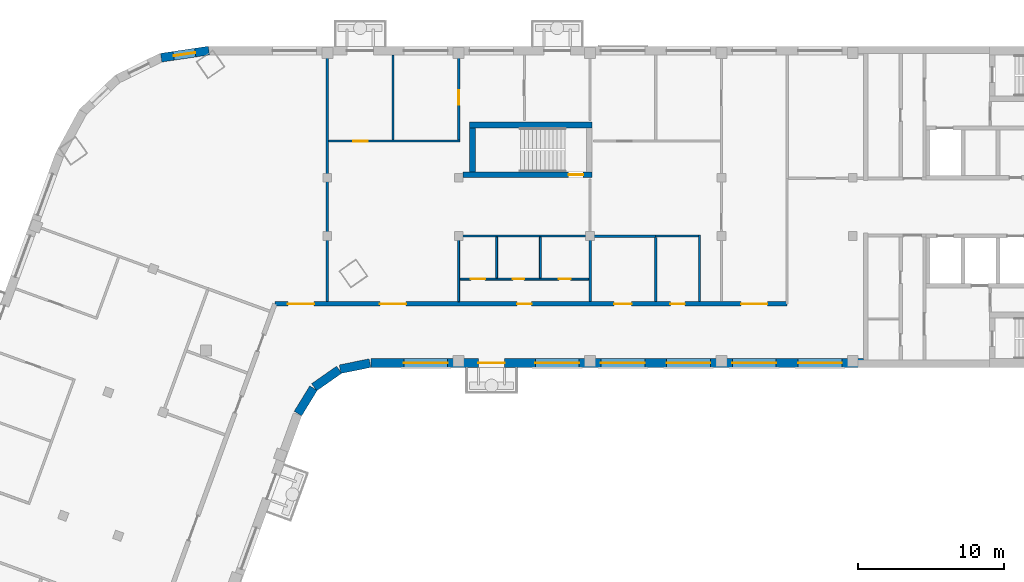
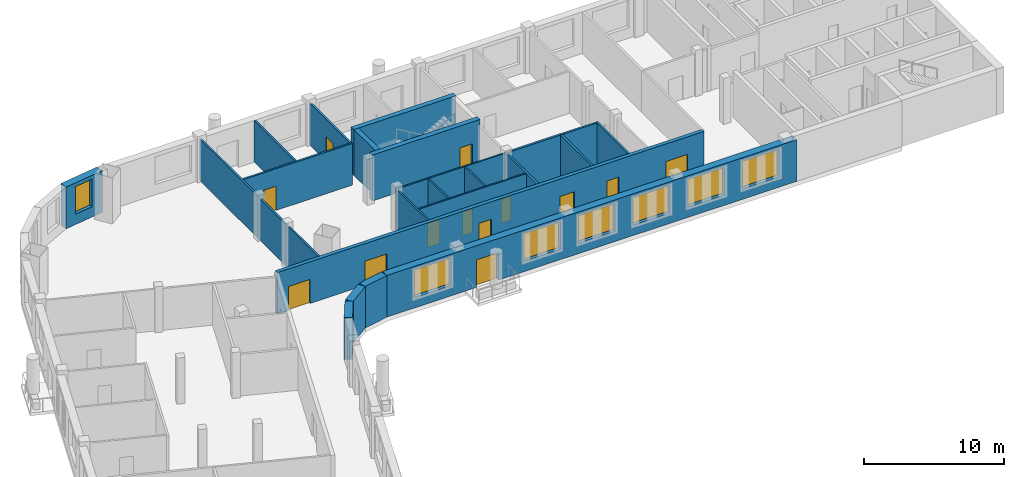
# One storey, part 4 of 10: 23 walls, 13 doors, 7 windows, 20 openings.
"""IFC4 building model written with IfcOpenShell, lengths in metres."""

from ifc_helpers import new_model, si_unit, direction, frame, frame_2d, origin, place, context, subcontext, project, spatial, rectangle, extrude, material, layer, layer_set, type_object, element, fill, save


model = new_model("IFC4")

# Units and contexts
model_context = context("Model", 3, precision=1e-05, world=origin(), true_north=direction((0.0, 1.0)))
body_context = subcontext(model_context, "Body", "Model", "MODEL_VIEW")
ifc_project = project(units=[si_unit("LENGTHUNIT", "METRE"), si_unit("AREAUNIT", "SQUARE_METRE"), si_unit("VOLUMEUNIT", "CUBIC_METRE"), si_unit("PLANEANGLEUNIT", "RADIAN"), si_unit("MASSUNIT", "GRAM", prefix="KILO")], contexts=[model_context])

# Site, building, storey
site_placement = place(None, origin())
site = spatial("IfcSite", under=ifc_project, at=site_placement, CompositionType="ELEMENT")
building_placement = place(site_placement, origin())
building = spatial("IfcBuilding", under=site, at=building_placement, Name="Skarvind Civic Tower", CompositionType="ELEMENT")
storey_placement = place(building_placement, frame((0.0, 0.0, 192.0)))
storey = spatial("IfcBuildingStorey", under=building, at=storey_placement, Name="L45", CompositionType="ELEMENT", Elevation=192.0)

# Walls
ifc_material_1 = material(Name="Acoustic gypsum board on steel studs", Category="steel")
ifc_layer_1 = layer(ifc_material_1, 0.175048828125)
ifc_layer_set_1 = layer_set([ifc_layer_1], Name="ACOUSTIC MEETING-ROOM PARTITION 175")
wall_type_1 = type_object("IfcWallType", Name="ACOUSTIC MEETING-ROOM PARTITION 175", PredefinedType="PARTITIONING", material=ifc_layer_set_1)
for number, where, z_axis, x_axis, name in (
    (1, (72.25, 121.5, 0.0), (0.0, 0.0, 1.0), (0.0, 1.0, 0.0), "Partition 45.027"),
    (2, (72.25, 126.0, 0.0), (0.0, 0.0, 1.0), (1.0, 0.0, 0.0), "Partition 45.029"),
):
    element("IfcWall", number, at=place(storey_placement, frame(where, z_axis=z_axis, x_axis=x_axis)), inside=storey, type_object=wall_type_1, Name=name, PredefinedType="PARTITIONING", context=body_context, shape_type="SweptSolid", body=[
        extrude(rectangle(XDim=4.5, YDim=0.175048828125, at=frame_2d((2.25, 0.0))), origin(), (0.0, 0.0, 1.0), 3.625),
    ])
wall_1_placement = place(storey_placement, frame((76.75, 125.912109375, 0.0), z_axis=(0.0, 0.0, 1.0), x_axis=(0.0, -1.0, 0.0)))
element("IfcWall", 3, at=wall_1_placement, inside=storey, type_object=wall_type_1, Name="Partition 45.032", PredefinedType="PARTITIONING", context=body_context, shape_type="SweptSolid", body=[
    extrude(rectangle(XDim=4.412109375, YDim=0.175048828125, at=frame_2d((2.2060546875, 0.0))), origin(), (0.0, 0.0, 1.0), 3.625),
])

# Wall, openings, doors
ifc_material_2 = material(Name="Fire-rated gypsum board on steel studs", Category="steel")
ifc_layer_2 = layer(ifc_material_2, 0.300048828125)
ifc_layer_set_2 = layer_set([ifc_layer_2], Name="CORRIDOR WALL 300")
wall_type_2 = type_object("IfcWallType", Name="CORRIDOR WALL 300", PredefinedType="PARTITIONING", material=ifc_layer_set_2)
wall_2_placement = place(storey_placement, frame((50.656982421875, 121.35009765625, 0.0), z_axis=(0.0, 0.0, 1.0), x_axis=(1.0, 0.0, 0.0)))
wall_2 = element("IfcWall", 4, at=wall_2_placement, inside=storey, type_object=wall_type_2, Name="Partition 45.016", PredefinedType="PARTITIONING", context=body_context, shape_type="SweptSolid", body=[
    extrude(rectangle(XDim=35.095947265625, YDim=0.300048828125, at=frame_2d((17.5478515625, 0.0))), origin(), (0.0, 0.0, 1.0), 3.625),
])
opening_1_placement = place(wall_2_placement, frame((27.093017578125, 0.0, 0.0)))
opening_1 = element("IfcOpeningElement", 5, at=opening_1_placement, cuts=wall_2, Name="Opening L45-D002", PredefinedType="OPENING", context=body_context, shape_type="SweptSolid", body=[
    extrude(rectangle(XDim=1.0, YDim=2.10009765625, at=frame_2d((0.5, 1.050048828125))), frame((0.0, 0.159912109375, 0.0), z_axis=(0.0, -1.0, 0.0), x_axis=(1.0, 0.0, 0.0)), (0.0, 0.0, 1.0), 0.320068359375),
])
opening_2_placement = place(wall_2_placement, frame((23.242919921875, 0.0, 0.0)))
opening_2 = element("IfcOpeningElement", 6, at=opening_2_placement, cuts=wall_2, Name="Opening L45-D003", PredefinedType="OPENING", context=body_context, shape_type="SweptSolid", body=[
    extrude(rectangle(XDim=1.199951171875, YDim=2.10009765625, at=frame_2d((0.60009765625, 1.050048828125))), frame((0.0, 0.159912109375, 0.0), z_axis=(0.0, -1.0, 0.0), x_axis=(1.0, 0.0, 0.0)), (0.0, 0.0, 1.0), 0.320068359375),
])
opening_3_placement = place(wall_2_placement, frame((31.943115234375, 0.0, 0.0)))
opening_3 = element("IfcOpeningElement", 7, at=opening_3_placement, cuts=wall_2, Name="Opening L45-D006", PredefinedType="OPENING", context=body_context, shape_type="SweptSolid", body=[
    extrude(rectangle(XDim=1.800048828125, YDim=2.10009765625, at=frame_2d((0.89990234375, 1.050048828125))), frame((0.0, 0.159912109375, 0.0), z_axis=(0.0, -1.0, 0.0), x_axis=(1.0, 0.0, 0.0)), (0.0, 0.0, 1.0), 0.320068359375),
])
opening_4_placement = place(wall_2_placement, frame((16.593017578125, 0.0, 0.0)))
opening_4 = element("IfcOpeningElement", 8, at=opening_4_placement, cuts=wall_2, Name="Opening L45-D007", PredefinedType="OPENING", context=body_context, shape_type="SweptSolid", body=[
    extrude(rectangle(XDim=1.0, YDim=2.10009765625, at=frame_2d((0.5, 1.050048828125))), frame((0.0, 0.159912109375, 0.0), z_axis=(0.0, -1.0, 0.0), x_axis=(1.0, 0.0, 0.0)), (0.0, 0.0, 1.0), 0.320068359375),
])
opening_5_placement = place(wall_2_placement, frame((7.193115234375, 0.0, 0.0)))
opening_5 = element("IfcOpeningElement", 9, at=opening_5_placement, cuts=wall_2, Name="Opening L45-D014", PredefinedType="OPENING", context=body_context, shape_type="SweptSolid", body=[
    extrude(rectangle(XDim=1.800048828125, YDim=2.10009765625, at=frame_2d((0.89990234375, 1.050048828125))), frame((0.0, 0.159912109375, 0.0), z_axis=(0.0, -1.0, 0.0), x_axis=(1.0, 0.0, 0.0)), (0.0, 0.0, 1.0), 0.320068359375),
])
opening_6_placement = place(wall_2_placement, frame((0.89599609375, 0.0, 0.0)))
opening_6 = element("IfcOpeningElement", 10, at=opening_6_placement, cuts=wall_2, Name="Opening L45-D022", PredefinedType="OPENING", context=body_context, shape_type="SweptSolid", body=[
    extrude(rectangle(XDim=1.800048828125, YDim=2.10009765625, at=frame_2d((0.89990234375, 1.050048828125))), frame((0.0, 0.159912109375, 0.0), z_axis=(0.0, -1.0, 0.0), x_axis=(1.0, 0.0, 0.0)), (0.0, 0.0, 1.0), 0.320068359375),
])
ifc_material_3 = material(Name="Fire-rated timber door leaf", Category="wood")
door_type_1 = type_object("IfcDoorType", Name="FD1 1000x2100", OperationType="NOTDEFINED", PredefinedType="DOOR", material=ifc_material_3)
door_1_placement = place(opening_1_placement, origin())
door_1 = element("IfcDoor", 11, at=door_1_placement, inside=storey, type_object=door_type_1, Name="Door L45-D002", OperationType="SINGLE_SWING_LEFT", OverallHeight=2.10009765625, OverallWidth=1.0, PredefinedType="DOOR", context=body_context, shape_type="SweptSolid", body=[
    extrude(rectangle(XDim=1.0, YDim=2.10009765625, at=frame_2d((0.5, 1.050048828125))), frame((0.0, 0.02490234375, 0.0), z_axis=(0.0, -1.0, 0.0), x_axis=(1.0, 0.0, 0.0)), (0.0, 0.0, 1.0), 0.050048828125),
])
fill(opening_1, door_1)
door_2_placement = place(opening_4_placement, origin())
door_2 = element("IfcDoor", 12, at=door_2_placement, inside=storey, type_object=door_type_1, Name="Door L45-D007", OperationType="SINGLE_SWING_LEFT", OverallHeight=2.10009765625, OverallWidth=1.0, PredefinedType="DOOR", context=body_context, shape_type="SweptSolid", body=[
    extrude(rectangle(XDim=1.0, YDim=2.10009765625, at=frame_2d((0.5, 1.050048828125))), frame((0.0, 0.02490234375, 0.0), z_axis=(0.0, -1.0, 0.0), x_axis=(1.0, 0.0, 0.0)), (0.0, 0.0, 1.0), 0.050048828125),
])
fill(opening_4, door_2)
door_type_2 = type_object("IfcDoorType", Name="FD4 1800x2100", OperationType="NOTDEFINED", PredefinedType="DOOR", material=ifc_material_3)
door_3_placement = place(opening_3_placement, origin())
door_3 = element("IfcDoor", 13, at=door_3_placement, inside=storey, type_object=door_type_2, Name="Door L45-D006", OperationType="DOUBLE_DOOR_SINGLE_SWING", OverallHeight=2.10009765625, OverallWidth=1.800048828125, PredefinedType="DOOR", context=body_context, shape_type="SweptSolid", body=[
    extrude(rectangle(XDim=1.800048828125, YDim=2.10009765625, at=frame_2d((0.89990234375, 1.050048828125))), frame((0.0, 0.02490234375, 0.0), z_axis=(0.0, -1.0, 0.0), x_axis=(1.0, 0.0, 0.0)), (0.0, 0.0, 1.0), 0.050048828125),
])
fill(opening_3, door_3)
door_4_placement = place(opening_5_placement, origin())
door_4 = element("IfcDoor", 14, at=door_4_placement, inside=storey, type_object=door_type_2, Name="Door L45-D014", OperationType="DOUBLE_DOOR_SINGLE_SWING", OverallHeight=2.10009765625, OverallWidth=1.800048828125, PredefinedType="DOOR", context=body_context, shape_type="SweptSolid", body=[
    extrude(rectangle(XDim=1.800048828125, YDim=2.10009765625, at=frame_2d((0.89990234375, 1.050048828125))), frame((0.0, 0.02490234375, 0.0), z_axis=(0.0, -1.0, 0.0), x_axis=(1.0, 0.0, 0.0)), (0.0, 0.0, 1.0), 0.050048828125),
])
fill(opening_5, door_4)
door_5_placement = place(opening_6_placement, origin())
door_5 = element("IfcDoor", 15, at=door_5_placement, inside=storey, type_object=door_type_2, Name="Door L45-D022", OperationType="DOUBLE_DOOR_SINGLE_SWING", OverallHeight=2.10009765625, OverallWidth=1.800048828125, PredefinedType="DOOR", context=body_context, shape_type="SweptSolid", body=[
    extrude(rectangle(XDim=1.800048828125, YDim=2.10009765625, at=frame_2d((0.89990234375, 1.050048828125))), frame((0.0, 0.02490234375, 0.0), z_axis=(0.0, -1.0, 0.0), x_axis=(1.0, 0.0, 0.0)), (0.0, 0.0, 1.0), 0.050048828125),
])
fill(opening_6, door_5)
door_type_3 = type_object("IfcDoorType", Name="FD6 1200x2100 DOUBLE", OperationType="NOTDEFINED", PredefinedType="DOOR", material=ifc_material_3)
door_6_placement = place(opening_2_placement, origin())
door_6 = element("IfcDoor", 16, at=door_6_placement, inside=storey, type_object=door_type_3, Name="Door L45-D003", OperationType="DOUBLE_DOOR_SINGLE_SWING", OverallHeight=2.10009765625, OverallWidth=1.199951171875, PredefinedType="DOOR", context=body_context, shape_type="SweptSolid", body=[
    extrude(rectangle(XDim=1.199951171875, YDim=2.10009765625, at=frame_2d((0.60009765625, 1.050048828125))), frame((0.0, 0.02490234375, 0.0), z_axis=(0.0, -1.0, 0.0), x_axis=(1.0, 0.0, 0.0)), (0.0, 0.0, 1.0), 0.050048828125),
])
fill(opening_2, door_6)

# Wall, opening, door
ifc_material_4 = material(Name="Concrete C60", Category="concrete")
ifc_layer_3 = layer(ifc_material_4, 0.39990234375)
ifc_layer_set_3 = layer_set([ifc_layer_3], Name="Core wall 400 C60")
wall_type_3 = type_object("IfcWallType", Name="Core wall 400 C60", PredefinedType="SHEAR", material=ifc_layer_set_3)
wall_3_placement = place(storey_placement, frame((63.550048828125, 130.199951171875, 0.0), z_axis=(0.0, 0.0, 1.0), x_axis=(1.0, 0.0, 0.0)))
wall_3 = element("IfcWall", 17, at=wall_3_placement, inside=storey, type_object=wall_type_3, Name="Core wall CM inner L45", PredefinedType="SHEAR", context=body_context, shape_type="SweptSolid", body=[
    extrude(rectangle(XDim=8.849853515625, YDim=0.39990234375, at=frame_2d((4.4248046875, 0.0))), origin(), (0.0, 0.0, 1.0), 4.0),
])
opening_7_placement = place(wall_3_placement, frame((7.22509765625, 0.0, 0.0)))
opening_7 = element("IfcOpeningElement", 18, at=opening_7_placement, cuts=wall_3, Name="Opening D-L45-CM-01", PredefinedType="OPENING", context=body_context, shape_type="SweptSolid", body=[
    extrude(rectangle(XDim=1.0, YDim=2.10009765625, at=frame_2d((0.5, 1.050048828125))), frame((0.0, 0.2099609375, 0.0), z_axis=(0.0, -1.0, 0.0), x_axis=(1.0, 0.0, 0.0)), (0.0, 0.0, 1.0), 0.419921875),
])
ifc_material_5 = material(Name="Fire-rated steel door", Category="steel")
door_type_4 = type_object("IfcDoorType", Name="Fire door 1000", OperationType="NOTDEFINED", PredefinedType="DOOR", material=ifc_material_5)
door_7_placement = place(opening_7_placement, origin())
door_7 = element("IfcDoor", 19, at=door_7_placement, inside=storey, type_object=door_type_4, Name="Fire door", OperationType="SINGLE_SWING_LEFT", OverallHeight=2.10009765625, OverallWidth=1.0, PredefinedType="DOOR", context=body_context, shape_type="SweptSolid", body=[
    extrude(rectangle(XDim=1.0, YDim=2.10009765625, at=frame_2d((0.5, 1.050048828125))), frame((0.0, 0.02490234375, 0.0), z_axis=(0.0, -1.0, 0.0), x_axis=(1.0, 0.0, 0.0)), (0.0, 0.0, 1.0), 0.050048828125),
])
fill(opening_7, door_7)

# Walls
wall_4_placement = place(storey_placement, frame((64.0, 133.60009765625, 0.0), z_axis=(0.0, 0.0, 1.0), x_axis=(1.0, 0.0, 0.0)))
element("IfcWall", 20, at=wall_4_placement, inside=storey, type_object=wall_type_3, Name="Core wall CM outer L45", PredefinedType="SHEAR", context=body_context, shape_type="SweptSolid", body=[
    extrude(rectangle(XDim=8.39990234375, YDim=0.39990234375, at=frame_2d((4.199951171875, 0.0))), origin(), (0.0, 0.0, 1.0), 4.0),
])
wall_5_placement = place(storey_placement, frame((64.199951171875, 130.39990234375, 0.0), z_axis=(0.0, 0.0, 1.0), x_axis=(0.0, 1.0, 0.0)))
element("IfcWall", 21, at=wall_5_placement, inside=storey, type_object=wall_type_3, Name="Core wall CM west L45", PredefinedType="SHEAR", context=body_context, shape_type="SweptSolid", body=[
    extrude(rectangle(XDim=3.0, YDim=0.39990234375, at=frame_2d((1.5, 0.0))), origin(), (0.0, 0.0, 1.0), 4.0),
])
ifc_material_6 = material(Name="Plasterboard partition on steel studs", Category="steel")
ifc_layer_4 = layer(ifc_material_6, 0.14990234375)
ifc_layer_set_4 = layer_set([ifc_layer_4], Name="PARTITION 150")
wall_type_4 = type_object("IfcWallType", Name="PARTITION 150", PredefinedType="PARTITIONING", material=ifc_layer_set_4)
wall_6_placement = place(storey_placement, frame((54.25, 121.5, 0.0), z_axis=(0.0, 0.0, 1.0), x_axis=(0.0, 1.0, 0.0)))
element("IfcWall", 22, at=wall_6_placement, inside=storey, type_object=wall_type_4, Name="Partition 45.017", PredefinedType="PARTITIONING", context=body_context, shape_type="SweptSolid", body=[
    extrude(rectangle(XDim=16.89990234375, YDim=0.14990234375, at=frame_2d((8.449951171875, 0.0))), origin(), (0.0, 0.0, 1.0), 3.625),
])

# Wall, opening, door
wall_7_placement = place(storey_placement, frame((63.324951171875, 132.5, 0.0), z_axis=(0.0, 0.0, 1.0), x_axis=(-1.0, 0.0, 0.0)))
wall_7 = element("IfcWall", 23, at=wall_7_placement, inside=storey, type_object=wall_type_4, Name="Partition 45.018", PredefinedType="PARTITIONING", context=body_context, shape_type="SweptSolid", body=[
    extrude(rectangle(XDim=9.0, YDim=0.14990234375, at=frame_2d((4.5, 0.0))), origin(), (0.0, 0.0, 1.0), 3.625),
])
opening_8_placement = place(wall_7_placement, frame((6.297607421875, 0.0, 0.0)))
opening_8 = element("IfcOpeningElement", 24, at=opening_8_placement, cuts=wall_7, Name="Opening L45-D013", PredefinedType="OPENING", context=body_context, shape_type="SweptSolid", body=[
    extrude(rectangle(XDim=1.0, YDim=2.10009765625, at=frame_2d((0.5, 1.050048828125))), frame((0.0, 0.0849609375, 0.0), z_axis=(0.0, -1.0, 0.0), x_axis=(1.0, 0.0, 0.0)), (0.0, 0.0, 1.0), 0.169921875),
])
ifc_material_7 = material(Name="Timber door leaf", Category="wood")
door_type_5 = type_object("IfcDoorType", Name="D1 1000x2100", OperationType="NOTDEFINED", PredefinedType="DOOR", material=ifc_material_7)
door_8_placement = place(opening_8_placement, origin())
door_8 = element("IfcDoor", 25, at=door_8_placement, inside=storey, type_object=door_type_5, Name="Door L45-D013", OperationType="SINGLE_SWING_RIGHT", OverallHeight=2.10009765625, OverallWidth=1.0, PredefinedType="DOOR", context=body_context, shape_type="SweptSolid", body=[
    extrude(rectangle(XDim=1.0, YDim=2.10009765625, at=frame_2d((0.5, 1.050048828125))), frame((0.0, 0.02490234375, 0.0), z_axis=(0.0, -1.0, 0.0), x_axis=(1.0, 0.0, 0.0)), (0.0, 0.0, 1.0), 0.050048828125),
])
fill(opening_8, door_8)

# Wall
wall_8_placement = place(storey_placement, frame((58.75, 132.574951171875, 0.0), z_axis=(0.0, 0.0, 1.0), x_axis=(0.0, 1.0, 0.0)))
element("IfcWall", 26, at=wall_8_placement, inside=storey, type_object=wall_type_4, Name="Partition 45.019", PredefinedType="PARTITIONING", context=body_context, shape_type="SweptSolid", body=[
    extrude(rectangle(XDim=5.824951171875, YDim=0.14990234375, at=frame_2d((2.91259765625, 0.0))), origin(), (0.0, 0.0, 1.0), 3.625),
])

# Wall, opening, door
wall_9_placement = place(storey_placement, frame((63.25, 138.39990234375, 0.0), z_axis=(0.0, 0.0, 1.0), x_axis=(0.0, -1.0, 0.0)))
wall_9 = element("IfcWall", 27, at=wall_9_placement, inside=storey, type_object=wall_type_4, Name="Partition 45.023", PredefinedType="PARTITIONING", context=body_context, shape_type="SweptSolid", body=[
    extrude(rectangle(XDim=5.824951171875, YDim=0.14990234375, at=frame_2d((2.91259765625, 0.0))), origin(), (0.0, 0.0, 1.0), 3.625),
])
opening_9_placement = place(wall_9_placement, frame((2.422607421875, 0.0, 0.0)))
opening_9 = element("IfcOpeningElement", 28, at=opening_9_placement, cuts=wall_9, Name="Opening L45-D012", PredefinedType="OPENING", context=body_context, shape_type="SweptSolid", body=[
    extrude(rectangle(XDim=1.0, YDim=2.10009765625, at=frame_2d((0.5, 1.050048828125))), frame((0.0, 0.0849609375, 0.0), z_axis=(0.0, -1.0, 0.0), x_axis=(1.0, 0.0, 0.0)), (0.0, 0.0, 1.0), 0.169921875),
])
door_9_placement = place(opening_9_placement, origin())
door_9 = element("IfcDoor", 29, at=door_9_placement, inside=storey, type_object=door_type_5, Name="Door L45-D012", OperationType="SINGLE_SWING_LEFT", OverallHeight=2.10009765625, OverallWidth=1.0, PredefinedType="DOOR", context=body_context, shape_type="SweptSolid", body=[
    extrude(rectangle(XDim=1.0, YDim=2.10009765625, at=frame_2d((0.5, 1.050048828125))), frame((0.0, 0.02490234375, 0.0), z_axis=(0.0, -1.0, 0.0), x_axis=(1.0, 0.0, 0.0)), (0.0, 0.0, 1.0), 0.050048828125),
])
fill(opening_9, door_9)

# Walls
wall_10_placement = place(storey_placement, frame((79.75, 121.5, 0.0), z_axis=(0.0, 0.0, 1.0), x_axis=(0.0, 1.0, 0.0)))
element("IfcWall", 30, at=wall_10_placement, inside=storey, type_object=wall_type_4, Name="Partition 45.034", PredefinedType="PARTITIONING", context=body_context, shape_type="SweptSolid", body=[
    extrude(rectangle(XDim=4.574951171875, YDim=0.14990234375, at=frame_2d((2.28759765625, 0.0))), origin(), (0.0, 0.0, 1.0), 3.625),
])
wall_11_placement = place(storey_placement, frame((79.675048828125, 126.0, 0.0), z_axis=(0.0, 0.0, 1.0), x_axis=(-1.0, 0.0, 0.0)))
element("IfcWall", 31, at=wall_11_placement, inside=storey, type_object=wall_type_4, Name="Partition 45.035", PredefinedType="PARTITIONING", context=body_context, shape_type="SweptSolid", body=[
    extrude(rectangle(XDim=2.925048828125, YDim=0.14990234375, at=frame_2d((1.46240234375, 0.0))), origin(), (0.0, 0.0, 1.0), 3.625),
])
ifc_material_8 = material(Name="Moisture-resistant gypsum board on steel studs", Category="steel")
ifc_layer_5 = layer(ifc_material_8, 0.125)
ifc_layer_set_5 = layer_set([ifc_layer_5], Name="WC PARTITION 125")
wall_type_5 = type_object("IfcWallType", Name="WC PARTITION 125", PredefinedType="PARTITIONING", material=ifc_layer_set_5)
wall_12_placement = place(storey_placement, frame((63.25, 121.5, 0.0), z_axis=(0.0, 0.0, 1.0), x_axis=(0.0, 1.0, 0.0)))
element("IfcWall", 32, at=wall_12_placement, inside=storey, type_object=wall_type_5, Name="Partition 45.020", PredefinedType="PARTITIONING", context=body_context, shape_type="SweptSolid", body=[
    extrude(rectangle(XDim=4.43798828125, YDim=0.125, at=frame_2d((2.218994140625, 0.0))), origin(), (0.0, 0.0, 1.0), 3.625),
])

# Wall, openings, doors
wall_13_placement = place(storey_placement, frame((63.31201171875, 123.050048828125, 0.0), z_axis=(0.0, 0.0, 1.0), x_axis=(1.0, 0.0, 0.0)))
wall_13 = element("IfcWall", 33, at=wall_13_placement, inside=storey, type_object=wall_type_5, Name="Partition 45.021", PredefinedType="PARTITIONING", context=body_context, shape_type="SweptSolid", body=[
    extrude(rectangle(XDim=8.85009765625, YDim=0.125, at=frame_2d((4.425048828125, 0.0))), origin(), (0.0, 0.0, 1.0), 3.625),
])
opening_10_placement = place(wall_13_placement, frame((6.803955078125, 0.0, 0.0)))
opening_10 = element("IfcOpeningElement", 34, at=opening_10_placement, cuts=wall_13, Name="Opening L45-D008", PredefinedType="OPENING", context=body_context, shape_type="SweptSolid", body=[
    extrude(rectangle(XDim=0.800048828125, YDim=2.10009765625, at=frame_2d((0.39990234375, 1.050048828125))), frame((0.0, 0.072509765625, 0.0), z_axis=(0.0, -1.0, 0.0), x_axis=(1.0, 0.0, 0.0)), (0.0, 0.0, 1.0), 0.14501953125),
])
opening_11_placement = place(wall_13_placement, frame((3.637939453125, 0.0, 0.0)))
opening_11 = element("IfcOpeningElement", 35, at=opening_11_placement, cuts=wall_13, Name="Opening L45-D009", PredefinedType="OPENING", context=body_context, shape_type="SweptSolid", body=[
    extrude(rectangle(XDim=0.800048828125, YDim=2.10009765625, at=frame_2d((0.39990234375, 1.050048828125))), frame((0.0, 0.072509765625, 0.0), z_axis=(0.0, -1.0, 0.0), x_axis=(1.0, 0.0, 0.0)), (0.0, 0.0, 1.0), 0.14501953125),
])
opening_12_placement = place(wall_13_placement, frame((0.759033203125, 0.0, 0.0)))
opening_12 = element("IfcOpeningElement", 36, at=opening_12_placement, cuts=wall_13, Name="Opening L45-D010", PredefinedType="OPENING", context=body_context, shape_type="SweptSolid", body=[
    extrude(rectangle(XDim=1.0, YDim=2.10009765625, at=frame_2d((0.5, 1.050048828125))), frame((0.0, 0.072509765625, 0.0), z_axis=(0.0, -1.0, 0.0), x_axis=(1.0, 0.0, 0.0)), (0.0, 0.0, 1.0), 0.14501953125),
])
door_10_placement = place(opening_12_placement, origin())
door_10 = element("IfcDoor", 37, at=door_10_placement, inside=storey, type_object=door_type_5, Name="Door L45-D010", OperationType="SINGLE_SWING_LEFT", OverallHeight=2.10009765625, OverallWidth=1.0, PredefinedType="DOOR", context=body_context, shape_type="SweptSolid", body=[
    extrude(rectangle(XDim=1.0, YDim=2.10009765625, at=frame_2d((0.5, 1.050048828125))), frame((0.0, 0.02490234375, 0.0), z_axis=(0.0, -1.0, 0.0), x_axis=(1.0, 0.0, 0.0)), (0.0, 0.0, 1.0), 0.050048828125),
])
fill(opening_12, door_10)
door_type_6 = type_object("IfcDoorType", Name="DOOR 800X2100 TIMBER", OperationType="NOTDEFINED", PredefinedType="DOOR", material=ifc_material_7)
door_11_placement = place(opening_10_placement, origin())
door_11 = element("IfcDoor", 38, at=door_11_placement, inside=storey, type_object=door_type_6, Name="Door L45-D008", OperationType="SINGLE_SWING_RIGHT", OverallHeight=2.10009765625, OverallWidth=0.800048828125, PredefinedType="DOOR", context=body_context, shape_type="SweptSolid", body=[
    extrude(rectangle(XDim=0.800048828125, YDim=2.10009765625, at=frame_2d((0.39990234375, 1.050048828125))), frame((0.0, 0.02490234375, 0.0), z_axis=(0.0, -1.0, 0.0), x_axis=(1.0, 0.0, 0.0)), (0.0, 0.0, 1.0), 0.050048828125),
])
fill(opening_10, door_11)
door_12_placement = place(opening_11_placement, origin())
door_12 = element("IfcDoor", 39, at=door_12_placement, inside=storey, type_object=door_type_6, Name="Door L45-D009", OperationType="SINGLE_SWING_LEFT", OverallHeight=2.10009765625, OverallWidth=0.800048828125, PredefinedType="DOOR", context=body_context, shape_type="SweptSolid", body=[
    extrude(rectangle(XDim=0.800048828125, YDim=2.10009765625, at=frame_2d((0.39990234375, 1.050048828125))), frame((0.0, 0.02490234375, 0.0), z_axis=(0.0, -1.0, 0.0), x_axis=(1.0, 0.0, 0.0)), (0.0, 0.0, 1.0), 0.050048828125),
])
fill(opening_11, door_12)

# Walls
wall_14_placement = place(storey_placement, frame((63.18798828125, 126.0, 0.0), z_axis=(0.0, 0.0, 1.0), x_axis=(1.0, 0.0, 0.0)))
element("IfcWall", 40, at=wall_14_placement, inside=storey, type_object=wall_type_5, Name="Partition 45.022", PredefinedType="PARTITIONING", context=body_context, shape_type="SweptSolid", body=[
    extrude(rectangle(XDim=9.06201171875, YDim=0.125, at=frame_2d((4.531005859375, 0.0))), origin(), (0.0, 0.0, 1.0), 3.625),
])
for number, where, z_axis, x_axis, name in (
    (41, (65.85009765625, 125.93798828125, 0.0), (0.0, 0.0, 1.0), (0.0, -1.0, 0.0), "Partition 45.024"),
    (42, (68.85009765625, 125.93798828125, 0.0), (0.0, 0.0, 1.0), (0.0, -1.0, 0.0), "Partition 45.026"),
):
    element("IfcWall", number, at=place(storey_placement, frame(where, z_axis=z_axis, x_axis=x_axis)), inside=storey, type_object=wall_type_5, Name=name, PredefinedType="PARTITIONING", context=body_context, shape_type="SweptSolid", body=[
        extrude(rectangle(XDim=2.825927734375, YDim=0.125, at=frame_2d((1.4130859375, 0.0))), origin(), (0.0, 0.0, 1.0), 3.625),
    ])
ifc_material_9 = material(Name="Limestone masonry cladding on insulated backing", Category="masonry")
ifc_layer_6 = layer(ifc_material_9, 0.60009765625)
ifc_layer_set_6 = layer_set([ifc_layer_6], Name="WX1 STONE FACADE WALL 600")
wall_type_6 = type_object("IfcWallType", Name="WX1 STONE FACADE WALL 600", PredefinedType="SOLIDWALL", material=ifc_layer_set_6)
wall_15_placement = place(storey_placement, frame((53.30517578125, 115.578369140625, 0.0), z_axis=(0.0, 0.0, 1.0), x_axis=(-0.522402266438, -0.852699168535, 0.0)))
element("IfcWall", 43, at=wall_15_placement, inside=storey, type_object=wall_type_6, Name="STONE FACADE WALL", PredefinedType="SOLIDWALL", context=body_context, shape_type="SweptSolid", body=[
    extrude(rectangle(XDim=2.042236328125, YDim=0.60009765625, at=frame_2d((1.02099609375, 0.0))), origin(), (0.0, 0.0, 1.0), 3.625),
])
for number, where, z_axis, x_axis, name in (
    (44, (55.061767578125, 116.8388671875, 0.0), (0.0, 0.0, 1.0), (-0.819122269495, -0.573618956815, 0.0), "STONE FACADE WALL"),
    (45, (57.17529296875, 117.2939453125, 0.0), (0.0, 0.0, 1.0), (-0.97996099083, -0.19918949885, 0.0), "STONE FACADE WALL"),
):
    element("IfcWall", number, at=place(storey_placement, frame(where, z_axis=z_axis, x_axis=x_axis)), inside=storey, type_object=wall_type_6, Name=name, PredefinedType="SOLIDWALL", context=body_context, shape_type="SweptSolid", body=[
        extrude(rectangle(XDim=2.09228515625, YDim=0.60009765625, at=frame_2d((1.046142578125, 0.0))), origin(), (0.0, 0.0, 1.0), 3.625),
    ])

# Wall, openings, door, windows
wall_16_placement = place(storey_placement, frame((90.97998046875, 117.300048828125, 0.0), z_axis=(0.0, 0.0, 1.0), x_axis=(-1.0, 0.0, 0.0)))
wall_16 = element("IfcWall", 46, at=wall_16_placement, inside=storey, type_object=wall_type_6, Name="STONE FACADE WALL", PredefinedType="SOLIDWALL", context=body_context, shape_type="SweptSolid", body=[
    extrude(rectangle(XDim=33.744873046875, YDim=0.60009765625, at=frame_2d((16.87255859375, 0.0))), origin(), (0.0, 0.0, 1.0), 3.625),
])
opening_13_placement = place(wall_16_placement, frame((1.47998046875, 0.0, 0.89990234375)))
opening_13 = element("IfcOpeningElement", 47, at=opening_13_placement, cuts=wall_16, Name="Opening WN1", PredefinedType="OPENING", context=body_context, shape_type="SweptSolid", body=[
    extrude(rectangle(XDim=3.0, YDim=2.39990234375, at=frame_2d((1.5, 1.199951171875))), frame((0.0, 0.31005859375, 0.0), z_axis=(0.0, -1.0, 0.0), x_axis=(1.0, 0.0, 0.0)), (0.0, 0.0, 1.0), 0.6201171875),
])
opening_14_placement = place(wall_16_placement, frame((5.97998046875, 0.0, 0.89990234375)))
opening_14 = element("IfcOpeningElement", 48, at=opening_14_placement, cuts=wall_16, Name="Opening WN1", PredefinedType="OPENING", context=body_context, shape_type="SweptSolid", body=[
    extrude(rectangle(XDim=3.0, YDim=2.39990234375, at=frame_2d((1.5, 1.199951171875))), frame((0.0, 0.31005859375, 0.0), z_axis=(0.0, -1.0, 0.0), x_axis=(1.0, 0.0, 0.0)), (0.0, 0.0, 1.0), 0.6201171875),
])
opening_15_placement = place(wall_16_placement, frame((10.47998046875, 0.0, 0.89990234375)))
opening_15 = element("IfcOpeningElement", 49, at=opening_15_placement, cuts=wall_16, Name="Opening WN1", PredefinedType="OPENING", context=body_context, shape_type="SweptSolid", body=[
    extrude(rectangle(XDim=3.0, YDim=2.39990234375, at=frame_2d((1.5, 1.199951171875))), frame((0.0, 0.31005859375, 0.0), z_axis=(0.0, -1.0, 0.0), x_axis=(1.0, 0.0, 0.0)), (0.0, 0.0, 1.0), 0.6201171875),
])
opening_16_placement = place(wall_16_placement, frame((14.97998046875, 0.0, 0.89990234375)))
opening_16 = element("IfcOpeningElement", 50, at=opening_16_placement, cuts=wall_16, Name="Opening WN1", PredefinedType="OPENING", context=body_context, shape_type="SweptSolid", body=[
    extrude(rectangle(XDim=3.0, YDim=2.39990234375, at=frame_2d((1.5, 1.199951171875))), frame((0.0, 0.31005859375, 0.0), z_axis=(0.0, -1.0, 0.0), x_axis=(1.0, 0.0, 0.0)), (0.0, 0.0, 1.0), 0.6201171875),
])
opening_17_placement = place(wall_16_placement, frame((19.47998046875, 0.0, 0.89990234375)))
opening_17 = element("IfcOpeningElement", 51, at=opening_17_placement, cuts=wall_16, Name="Opening WN1", PredefinedType="OPENING", context=body_context, shape_type="SweptSolid", body=[
    extrude(rectangle(XDim=3.0, YDim=2.39990234375, at=frame_2d((1.5, 1.199951171875))), frame((0.0, 0.31005859375, 0.0), z_axis=(0.0, -1.0, 0.0), x_axis=(1.0, 0.0, 0.0)), (0.0, 0.0, 1.0), 0.6201171875),
])
opening_18_placement = place(wall_16_placement, frame((24.580078125, 0.0, 0.0)))
opening_18 = element("IfcOpeningElement", 52, at=opening_18_placement, cuts=wall_16, Name="Opening DX3", PredefinedType="OPENING", context=body_context, shape_type="SweptSolid", body=[
    extrude(rectangle(XDim=1.800048828125, YDim=2.39990234375, at=frame_2d((0.89990234375, 1.199951171875))), frame((0.0, 0.31005859375, 0.0), z_axis=(0.0, -1.0, 0.0), x_axis=(1.0, 0.0, 0.0)), (0.0, 0.0, 1.0), 0.6201171875),
])
opening_19_placement = place(wall_16_placement, frame((28.47998046875, 0.0, 0.89990234375)))
opening_19 = element("IfcOpeningElement", 53, at=opening_19_placement, cuts=wall_16, Name="Opening WN1", PredefinedType="OPENING", context=body_context, shape_type="SweptSolid", body=[
    extrude(rectangle(XDim=3.0, YDim=2.39990234375, at=frame_2d((1.5, 1.199951171875))), frame((0.0, 0.31005859375, 0.0), z_axis=(0.0, -1.0, 0.0), x_axis=(1.0, 0.0, 0.0)), (0.0, 0.0, 1.0), 0.6201171875),
])
ifc_material_10 = material(Name="Timber and glass doorset", Category="wood")
door_type_7 = type_object("IfcDoorType", Name="DX3 TERRACE DOORS 1800 x 2400", OperationType="NOTDEFINED", PredefinedType="DOOR", material=ifc_material_10)
door_13_placement = place(opening_18_placement, origin())
door_13 = element("IfcDoor", 54, at=door_13_placement, inside=storey, type_object=door_type_7, Name="TERRACE DOORS", OperationType="DOUBLE_DOOR_SINGLE_SWING", OverallHeight=2.39990234375, OverallWidth=1.800048828125, PredefinedType="DOOR", context=body_context, shape_type="SweptSolid", body=[
    extrude(rectangle(XDim=1.800048828125, YDim=2.39990234375, at=frame_2d((0.89990234375, 1.199951171875))), frame((0.0, 0.02490234375, 0.0), z_axis=(0.0, -1.0, 0.0), x_axis=(1.0, 0.0, 0.0)), (0.0, 0.0, 1.0), 0.050048828125),
])
fill(opening_18, door_13)
ifc_material_11 = material(Name="Timber frame, double glazing, timber-lined reveal", Category="wood")
window_type_1 = type_object("IfcWindowType", Name="WN1 PUNCHED STONE WINDOW 3000 x 2400", PartitioningType="SINGLE_PANEL", PredefinedType="WINDOW", material=ifc_material_11)
window_1_placement = place(opening_13_placement, origin())
window_1 = element("IfcWindow", 55, at=window_1_placement, inside=storey, type_object=window_type_1, Name="WN1 WINDOW", OverallHeight=2.39990234375, OverallWidth=3.0, PartitioningType="SINGLE_PANEL", PredefinedType="WINDOW", context=body_context, shape_type="SweptSolid", body=[
    extrude(rectangle(XDim=3.0, YDim=2.39990234375, at=frame_2d((1.5, 1.199951171875))), frame((0.0, 0.030029296875, 0.0), z_axis=(0.0, -1.0, 0.0), x_axis=(1.0, 0.0, 0.0)), (0.0, 0.0, 1.0), 0.06005859375),
])
fill(opening_13, window_1)
window_2_placement = place(opening_14_placement, origin())
window_2 = element("IfcWindow", 56, at=window_2_placement, inside=storey, type_object=window_type_1, Name="WN1 WINDOW", OverallHeight=2.39990234375, OverallWidth=3.0, PartitioningType="SINGLE_PANEL", PredefinedType="WINDOW", context=body_context, shape_type="SweptSolid", body=[
    extrude(rectangle(XDim=3.0, YDim=2.39990234375, at=frame_2d((1.5, 1.199951171875))), frame((0.0, 0.030029296875, 0.0), z_axis=(0.0, -1.0, 0.0), x_axis=(1.0, 0.0, 0.0)), (0.0, 0.0, 1.0), 0.06005859375),
])
fill(opening_14, window_2)
window_3_placement = place(opening_15_placement, origin())
window_3 = element("IfcWindow", 57, at=window_3_placement, inside=storey, type_object=window_type_1, Name="WN1 WINDOW", OverallHeight=2.39990234375, OverallWidth=3.0, PartitioningType="SINGLE_PANEL", PredefinedType="WINDOW", context=body_context, shape_type="SweptSolid", body=[
    extrude(rectangle(XDim=3.0, YDim=2.39990234375, at=frame_2d((1.5, 1.199951171875))), frame((0.0, 0.030029296875, 0.0), z_axis=(0.0, -1.0, 0.0), x_axis=(1.0, 0.0, 0.0)), (0.0, 0.0, 1.0), 0.06005859375),
])
fill(opening_15, window_3)
window_4_placement = place(opening_16_placement, origin())
window_4 = element("IfcWindow", 58, at=window_4_placement, inside=storey, type_object=window_type_1, Name="WN1 WINDOW", OverallHeight=2.39990234375, OverallWidth=3.0, PartitioningType="SINGLE_PANEL", PredefinedType="WINDOW", context=body_context, shape_type="SweptSolid", body=[
    extrude(rectangle(XDim=3.0, YDim=2.39990234375, at=frame_2d((1.5, 1.199951171875))), frame((0.0, 0.030029296875, 0.0), z_axis=(0.0, -1.0, 0.0), x_axis=(1.0, 0.0, 0.0)), (0.0, 0.0, 1.0), 0.06005859375),
])
fill(opening_16, window_4)
window_5_placement = place(opening_17_placement, origin())
window_5 = element("IfcWindow", 59, at=window_5_placement, inside=storey, type_object=window_type_1, Name="WN1 WINDOW", OverallHeight=2.39990234375, OverallWidth=3.0, PartitioningType="SINGLE_PANEL", PredefinedType="WINDOW", context=body_context, shape_type="SweptSolid", body=[
    extrude(rectangle(XDim=3.0, YDim=2.39990234375, at=frame_2d((1.5, 1.199951171875))), frame((0.0, 0.030029296875, 0.0), z_axis=(0.0, -1.0, 0.0), x_axis=(1.0, 0.0, 0.0)), (0.0, 0.0, 1.0), 0.06005859375),
])
fill(opening_17, window_5)
window_6_placement = place(opening_19_placement, origin())
window_6 = element("IfcWindow", 60, at=window_6_placement, inside=storey, type_object=window_type_1, Name="WN1 WINDOW", OverallHeight=2.39990234375, OverallWidth=3.0, PartitioningType="SINGLE_PANEL", PredefinedType="WINDOW", context=body_context, shape_type="SweptSolid", body=[
    extrude(rectangle(XDim=3.0, YDim=2.39990234375, at=frame_2d((1.5, 1.199951171875))), frame((0.0, 0.030029296875, 0.0), z_axis=(0.0, -1.0, 0.0), x_axis=(1.0, 0.0, 0.0)), (0.0, 0.0, 1.0), 0.06005859375),
])
fill(opening_19, window_6)

# Wall, opening, window
wall_17_placement = place(storey_placement, frame((42.872802734375, 138.21728515625, 0.0), z_axis=(0.0, 0.0, 1.0), x_axis=(0.989110792192, 0.14717282619, 0.0)))
wall_17 = element("IfcWall", 61, at=wall_17_placement, inside=storey, type_object=wall_type_6, Name="STONE FACADE WALL", PredefinedType="SOLIDWALL", context=body_context, shape_type="SweptSolid", body=[
    extrude(rectangle(XDim=3.302734375, YDim=0.60009765625, at=frame_2d((1.6513671875, 0.0))), origin(), (0.0, 0.0, 1.0), 3.625),
])
opening_20_placement = place(wall_17_placement, frame((0.8564453125, 0.0, 0.89990234375)))
opening_20 = element("IfcOpeningElement", 62, at=opening_20_placement, cuts=wall_17, Name="Opening WN8", PredefinedType="OPENING", context=body_context, shape_type="SweptSolid", body=[
    extrude(rectangle(XDim=1.5, YDim=2.39990234375, at=frame_2d((0.75, 1.199951171875))), frame((0.0, 0.31005859375, 0.0), z_axis=(0.0, -1.0, 0.0), x_axis=(1.0, 0.0, 0.0)), (0.0, 0.0, 1.0), 0.6201171875),
])
window_type_2 = type_object("IfcWindowType", Name="WN8 ARC BAY WINDOW 1500 x 2400", PartitioningType="SINGLE_PANEL", PredefinedType="WINDOW", material=ifc_material_11)
window_7_placement = place(opening_20_placement, origin())
window_7 = element("IfcWindow", 63, at=window_7_placement, inside=storey, type_object=window_type_2, Name="WN8 WINDOW", OverallHeight=2.39990234375, OverallWidth=1.5, PartitioningType="SINGLE_PANEL", PredefinedType="WINDOW", context=body_context, shape_type="SweptSolid", body=[
    extrude(rectangle(XDim=1.5, YDim=2.39990234375, at=frame_2d((0.75, 1.199951171875))), frame((0.0, 0.030029296875, 0.0), z_axis=(0.0, -1.0, 0.0), x_axis=(1.0, 0.0, 0.0)), (0.0, 0.0, 1.0), 0.06005859375),
])
fill(opening_20, window_7)

save(model, "model.ifc")
